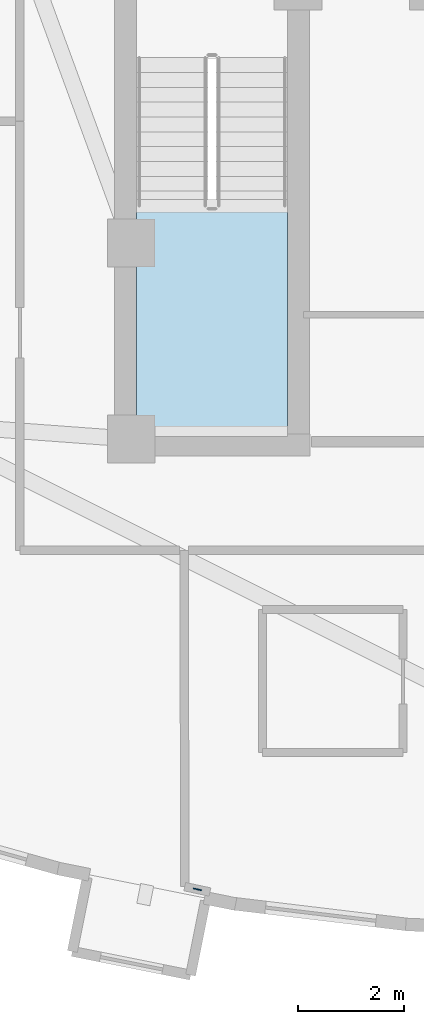
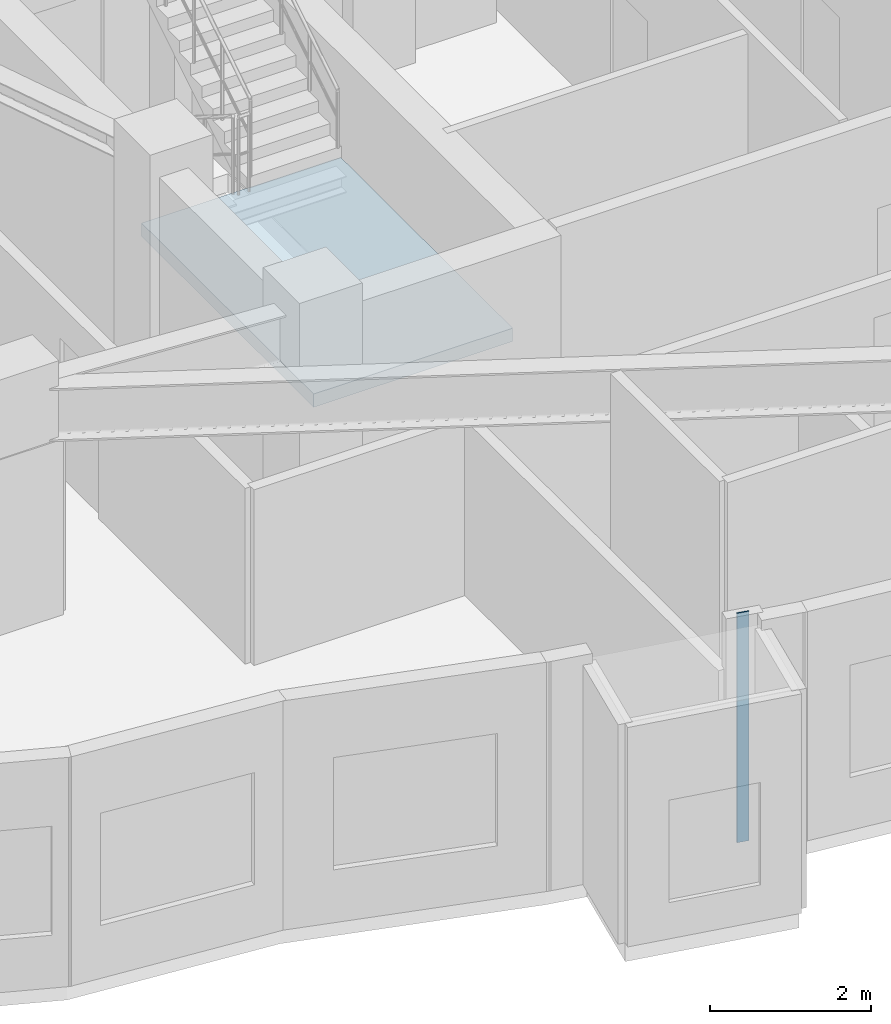
# One storey, part 2 of 10: 1 plate, 1 slab, 1 element without a shape of its own.
"""IFC4 building model written with IfcOpenShell, lengths in metres."""

import ifcopenshell
import ifcopenshell.guid

model = None  # the IFC model being written
_history = None  # IfcOwnerHistory: only IFC2X3 demands one
_inside = {}  # id of a spatial element -> (the spatial element, [elements in it])
_under = {}  # id of a project, library or spatial element -> (it, [spatial elements below it])
_declared = {}  # id of a project -> (the project, [libraries it declares])
_typed = {}  # id of a type object -> (the type object, [elements of that type])
_made_of = {}  # id of a material, layer set ... -> (it, [elements and type objects made of it])


def new_model(schema):
    """Start an empty IFC model of exactly this schema.

    Asked for "IFC4X3", IfcOpenShell would pick the latest addendum, in which some entities
    have other attributes; the version numbers below select the first issue.
    IFC2X3 requires an IfcOwnerHistory on every rooted entity: one is made here for all.
    """
    global model, _history
    if schema == "IFC4X3":
        model = ifcopenshell.file(schema_version=(4, 3, 0, 0))
    else:
        model = ifcopenshell.file(schema=schema)
    _inside.clear()
    _under.clear()
    _declared.clear()
    _typed.clear()
    _made_of.clear()
    _history = None
    if model.schema == "IFC2X3":
        org = make("IfcOrganization", Name="unknown")
        user = make(
            "IfcPersonAndOrganization",
            ThePerson=make("IfcPerson", FamilyName="unknown"),
            TheOrganization=org,
        )
        app = make(
            "IfcApplication",
            ApplicationDeveloper=org,
            Version="unknown",
            ApplicationFullName="unknown",
            ApplicationIdentifier="unknown",
        )
        _history = make(
            "IfcOwnerHistory",
            OwningUser=user,
            OwningApplication=app,
            ChangeAction="ADDED",
            CreationDate=0,
        )
    return model


def make(cls, **values):
    """One entity of the class cls with the attributes given. An attribute that is None is left unset."""
    return model.create_entity(
        cls, **{name: value for name, value in values.items() if value is not None}
    )


def rooted(cls, **values):
    """An entity with a GlobalId (a new one), such as an element, a storey or a relation."""
    return make(cls, GlobalId=ifcopenshell.guid.new(), OwnerHistory=_history, **values)


def si_unit(unit_type, name, prefix=None):
    """IfcSIUnit, for example si_unit("LENGTHUNIT", "METRE", prefix="MILLI")."""
    return make("IfcSIUnit", UnitType=unit_type, Prefix=prefix, Name=name)


def assignment(units):
    """IfcUnitAssignment: the units of a project."""
    return None if units is None else make("IfcUnitAssignment", Units=units)


def point(xyz):
    """IfcCartesianPoint."""
    return None if xyz is None else make("IfcCartesianPoint", Coordinates=xyz)


def direction(xyz):
    """IfcDirection."""
    return None if xyz is None else make("IfcDirection", DirectionRatios=xyz)


def frame(location, z_axis=None, x_axis=None):
    """IfcAxis2Placement3D, a coordinate frame: its origin and axes. An axis left out is left unset."""
    return make(
        "IfcAxis2Placement3D",
        Location=point(location),
        Axis=direction(z_axis),
        RefDirection=direction(x_axis),
    )


def frame_2d(location, x_axis=None):
    """IfcAxis2Placement2D, a coordinate frame in the plane: its origin and x axis."""
    return make(
        "IfcAxis2Placement2D", Location=point(location), RefDirection=direction(x_axis)
    )


def origin():
    """The frame at (0, 0, 0) with its axes left unset."""
    return frame((0.0, 0.0, 0.0))


def origin_2d():
    """The frame at (0, 0) in the plane with its x axis left unset."""
    return frame_2d((0.0, 0.0))


def place(relative_to, where):
    """IfcLocalPlacement: puts the frame where relative to a parent placement (None: the world)."""
    return make(
        "IfcLocalPlacement", PlacementRelTo=relative_to, RelativePlacement=where
    )


def context(
    kind, dimensions, precision=None, world=None, true_north=None, identifier=None
):
    """IfcGeometricRepresentationContext, for example the 3D "Model" context."""
    return make(
        "IfcGeometricRepresentationContext",
        ContextIdentifier=identifier,
        ContextType=kind,
        CoordinateSpaceDimension=dimensions,
        Precision=precision,
        WorldCoordinateSystem=world,
        TrueNorth=true_north,
    )


def subcontext(parent, identifier, kind, view, scale=None):
    """IfcGeometricRepresentationSubContext, for example "Body" below "Model"."""
    return make(
        "IfcGeometricRepresentationSubContext",
        ContextIdentifier=identifier,
        ContextType=kind,
        ParentContext=parent,
        TargetScale=scale,
        TargetView=view,
    )


def project(units=None, contexts=None):
    """IfcProject with its units and contexts."""
    return rooted(
        "IfcProject",
        Name="project",
        RepresentationContexts=contexts,
        UnitsInContext=assignment(units),
    )


def spatial(cls, under=None, at=None, **own):
    """A site, building, storey or space (cls), placed at a placement, below another one or the project."""
    s = rooted(cls, ObjectPlacement=at, **own)
    if under is not None:
        _under.setdefault(under.id(), (under, []))[1].append(s)
    return s


def polyline(points):
    """IfcPolyline through the points."""
    return make("IfcPolyline", Points=[point(p) for p in points])


def profile(cls, at=None, kind="AREA", **sizes):
    """A parametric profile (cls). Its sizes go by their IFC names, for example OverallWidth=200.0."""
    return make(cls, ProfileType=kind, Position=at, **sizes)


def rectangle(**sizes):
    """IfcRectangleProfileDef."""
    return profile("IfcRectangleProfileDef", **sizes)


def outline(outer, holes=None, kind="AREA"):
    """IfcArbitraryClosedProfileDef: a profile drawn as a closed curve; with holes, ...WithVoids."""
    if holes is None:
        return make("IfcArbitraryClosedProfileDef", ProfileType=kind, OuterCurve=outer)
    return make(
        "IfcArbitraryProfileDefWithVoids",
        ProfileType=kind,
        OuterCurve=outer,
        InnerCurves=holes,
    )


def extrude(swept, where, along, depth):
    """IfcExtrudedAreaSolid: the profile swept, set in the frame where, extruded along a direction by depth."""
    return make(
        "IfcExtrudedAreaSolid",
        SweptArea=swept,
        Position=where,
        ExtrudedDirection=direction(along),
        Depth=depth,
    )


def shape(context_of_items, identifier, shape_type, items):
    """IfcShapeRepresentation: the items that make up one representation, for example the "Body"."""
    return make(
        "IfcShapeRepresentation",
        ContextOfItems=context_of_items,
        RepresentationIdentifier=identifier,
        RepresentationType=shape_type,
        Items=items,
    )


def material(Name=None, Category=None):
    """IfcMaterial."""
    return make("IfcMaterial", Name=Name, Category=Category)


def layer(
    of_material, thickness, ventilated=None, Name=None, Category=None, Priority=None
):
    """IfcMaterialLayer: one layer of a wall or slab, of a material (None: an air gap)."""
    return make(
        "IfcMaterialLayer",
        Material=of_material,
        LayerThickness=thickness,
        IsVentilated=ventilated,
        Name=Name,
        Category=Category,
        Priority=Priority,
    )


def layer_set(layers, Name=None):
    """IfcMaterialLayerSet."""
    return make("IfcMaterialLayerSet", MaterialLayers=layers, LayerSetName=Name)


def made_of(thing, what):
    """Note that an element or type object is made of a material, layer set ...; save() writes the relation."""
    if what is not None:
        _made_of.setdefault(what.id(), (what, []))[1].append(thing)
    return thing


def type_object(cls, material=None, **own):
    """A type object (cls), such as IfcWallType, which elements share."""
    return made_of(rooted(cls, **own), material)


def element(
    cls,
    number,
    at=None,
    inside=None,
    cuts=None,
    type_object=None,
    material=None,
    context=None,
    identifier="Body",
    shape_type=None,
    held_by="IfcProductDefinitionShape",
    body=None,
    shapes=None,
    **own,
):
    """One element of the class cls, such as IfcWall. Its Tag is "e" and its number.

    at: its placement. inside: the storey or other place that contains it. cuts: it is an
    opening in that element (IfcRelVoidsElement). A single representation is given by context,
    identifier, shape_type and body (its items); several are given by shapes. held_by: the class
    of the entity that holds the representations. save() writes the other relations.
    """
    e = rooted(cls, Tag="e%d" % number, ObjectPlacement=at, **own)
    if body is not None:
        shapes = [shape(context, identifier, shape_type, body)]
    if shapes is not None:
        e.Representation = make(held_by, Representations=shapes)
    if inside is not None:
        _inside.setdefault(inside.id(), (inside, []))[1].append(e)
    if cuts is not None:
        rooted(
            "IfcRelVoidsElement", RelatingBuildingElement=cuts, RelatedOpeningElement=e
        )
    if type_object is not None:
        _typed.setdefault(type_object.id(), (type_object, []))[1].append(e)
    return made_of(e, material)


def aggregate(whole, parts):
    """IfcRelAggregates: a whole, such as a stair, and the parts it consists of."""
    return rooted("IfcRelAggregates", RelatingObject=whole, RelatedObjects=parts)


def save(model, path):
    """Write the relations noted so far, then the file.

    IfcRelAggregates (storeys below a building ...), IfcRelContainedInSpatialStructure (elements
    in a storey), IfcRelDefinesByType, IfcRelAssociatesMaterial and IfcRelDeclares: one each for
    every whole, place, type object, material and project.
    """
    for whole, parts in _under.values():
        aggregate(whole, parts)
    for where, things in _inside.values():
        rooted(
            "IfcRelContainedInSpatialStructure",
            RelatedElements=things,
            RelatingStructure=where,
        )
    for kind, things in _typed.values():
        rooted("IfcRelDefinesByType", RelatedObjects=things, RelatingType=kind)
    for what, things in _made_of.values():
        rooted("IfcRelAssociatesMaterial", RelatedObjects=things, RelatingMaterial=what)
    for by, libraries in _declared.values():
        rooted("IfcRelDeclares", RelatingContext=by, RelatedDefinitions=libraries)
    model.write(path)


model = new_model("IFC4")

# Units and contexts
model_context = context("Model", 3, precision=1e-05, world=origin(), true_north=direction((0.0, 1.0)))
body_context = subcontext(model_context, "Body", "Model", "MODEL_VIEW")
ifc_project = project(units=[si_unit("LENGTHUNIT", "METRE"), si_unit("AREAUNIT", "SQUARE_METRE"), si_unit("VOLUMEUNIT", "CUBIC_METRE"), si_unit("PLANEANGLEUNIT", "RADIAN"), si_unit("MASSUNIT", "GRAM", prefix="KILO")], contexts=[model_context])

# Site, building, storey
site_placement = place(None, origin())
site = spatial("IfcSite", under=ifc_project, at=site_placement, CompositionType="ELEMENT")
building_placement = place(site_placement, origin())
building = spatial("IfcBuilding", under=site, at=building_placement, Name="Miruveldt Soraemaru", CompositionType="ELEMENT")
storey_placement = place(building_placement, frame((0.0, 0.0, 278.949951171875)))
storey = spatial("IfcBuildingStorey", under=building, at=storey_placement, Name="L76", CompositionType="ELEMENT", Elevation=278.949951171875)

# Plate
ifc_material_1 = material(Name="Anodised aluminium EN AW-6063 T6", Category="aluminium")
ifc_layer_1 = layer(ifc_material_1, 0.02001953125, Name="Anodised aluminium EN AW-6063 T6", Category="aluminium")
ifc_layer_set_1 = layer_set([ifc_layer_1], Name="Anodised aluminium EN AW-6063 T6")
plate_type = type_object("IfcPlateType", Name="PLT-PART-TRIM", PredefinedType="SHEET", material=ifc_layer_set_1)
plate_placement = place(storey_placement, frame((36.74853515625, 27.000732421875, 0.0), z_axis=(0.0, 0.0, 1.0), x_axis=(0.977563188623, -0.210642379992, 0.0)))
element("IfcPlate", 1, at=plate_placement, inside=storey, type_object=plate_type, Name="L76 Partition Step Corner Trim Plate 003", PredefinedType="SHEET", context=body_context, shape_type="SweptSolid", body=[
    extrude(rectangle(XDim=0.159912109375, YDim=0.02001953125, at=origin_2d()), origin(), (0.0, 0.0, 1.0), 3.469970703125),
])

# Stair, slab
ifc_material_2 = material(Name="Concrete C40/50 (40 MPa)", Category="concrete")
stair_type = type_object("IfcStairType", Name="STAIR-DL-385", PredefinedType="HALF_TURN_STAIR", material=ifc_material_2)
stair_placement = place(storey_placement, origin())
stair = element("IfcStair", 2, at=stair_placement, inside=storey, type_object=stair_type, Name="L76 Protected Exit Stair ST-1", PredefinedType="HALF_TURN_STAIR")
ifc_layer_2 = layer(ifc_material_2, 0.199951171875, Name="Concrete C40/50 (40 MPa)", Category="concrete")
ifc_layer_set_2 = layer_set([ifc_layer_2], Name="Concrete C40/50 (40 MPa)")
slab_type = type_object("IfcSlabType", Name="SLAB-LAND-200", PredefinedType="LANDING", material=ifc_layer_set_2)
slab_placement = place(storey_placement, frame((0.0, 0.0, 1.72509765625)))
slab = element("IfcSlab", 3, at=slab_placement, type_object=slab_type, Name="ST-1 landing 1", PredefinedType="LANDING", context=body_context, shape_type="SweptSolid", body=[
    extrude(outline(polyline([(35.60009765625, 39.91796875), (35.60009765625, 35.64990234375), (38.449951171875, 35.64990234375), (38.449951171875, 39.91796875), (35.60009765625, 39.91796875)])), origin(), (0.0, 0.0, 1.0), 0.199951171875),
])
aggregate(stair, [slab])

save(model, "model.ifc")
